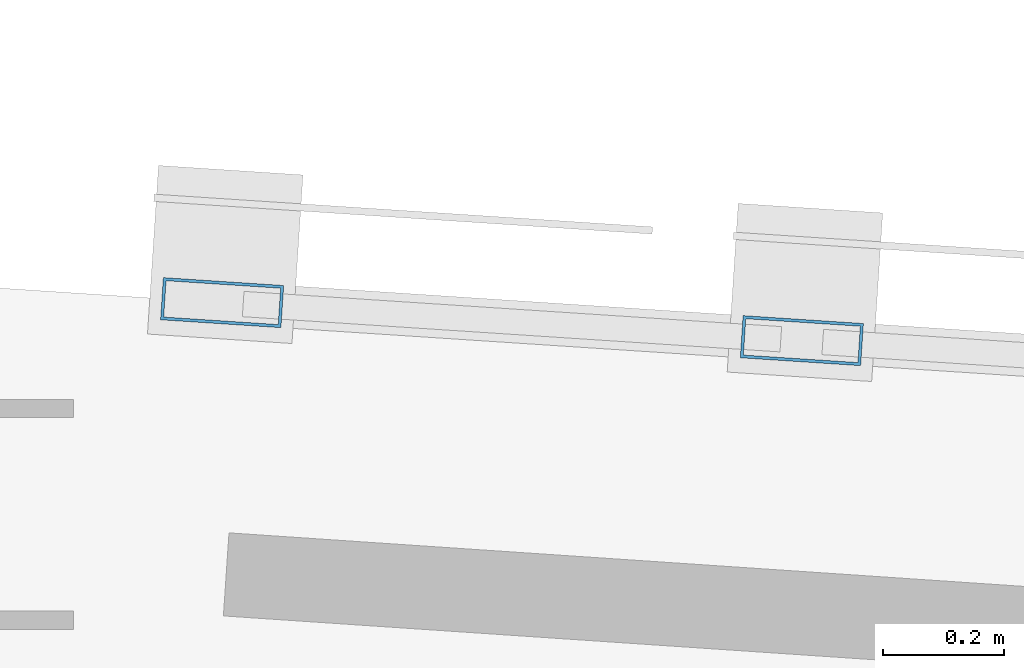
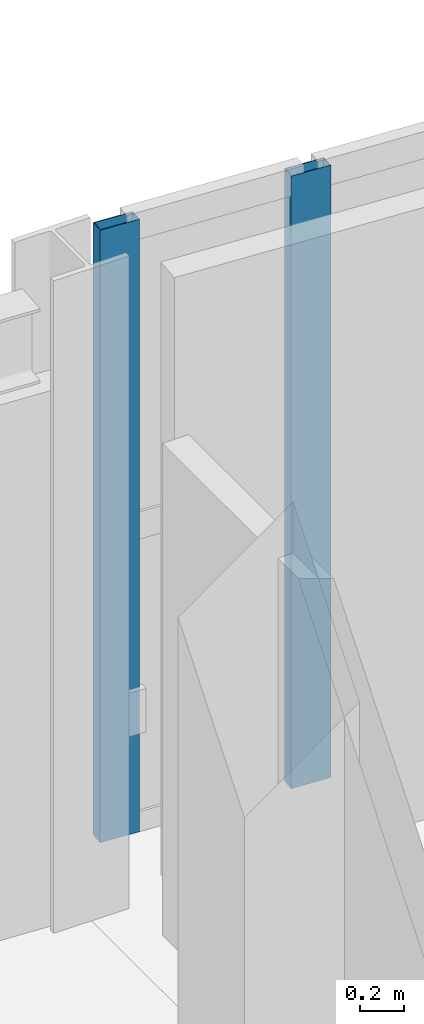
# One storey, part 21 of 41: 2 members, 1 element without a shape of its own.
"""IFC4 building model written with IfcOpenShell, lengths in metres."""

from ifc_helpers import new_model, si_unit, direction, frame, origin, origin_2d, place, context, subcontext, project, spatial, hollow_rectangle, extrude, material, layer, layer_set, material_profile, profile_set, type_object, element, aggregate, save


model = new_model("IFC4")

# Units and contexts
model_context = context("Model", 3, precision=1e-05, world=origin(), true_north=direction((0.0, 1.0)))
body_context = subcontext(model_context, "Body", "Model", "MODEL_VIEW")
ifc_project = project(units=[si_unit("LENGTHUNIT", "METRE"), si_unit("AREAUNIT", "SQUARE_METRE"), si_unit("VOLUMEUNIT", "CUBIC_METRE"), si_unit("PLANEANGLEUNIT", "RADIAN"), si_unit("MASSUNIT", "GRAM", prefix="KILO")], contexts=[model_context])

# Site, building, storey
site_placement = place(None, origin())
site = spatial("IfcSite", under=ifc_project, at=site_placement, CompositionType="ELEMENT")
building_placement = place(site_placement, origin())
building = spatial("IfcBuilding", under=site, at=building_placement, Name="Carrowvane Square Congress Hotel", CompositionType="ELEMENT")
storey_placement = place(building_placement, frame((0.0, 0.0, 37.199951171875)))
storey = spatial("IfcBuildingStorey", under=building, at=storey_placement, Name="L09", CompositionType="ELEMENT", Elevation=37.199951171875)

# Curtain wall, members
ifc_material_1 = material(Name="Anodised aluminium", Category="aluminium")
ifc_layer = layer(ifc_material_1, 0.24609375)
ifc_layer_set = layer_set([ifc_layer], Name="Anodised aluminium")
curtain_wall_type = type_object("IfcCurtainWallType", Name="CW-SYS-8", PredefinedType="NOTDEFINED", material=ifc_layer_set)
curtain_wall_placement = place(storey_placement, origin())
curtain_wall = element("IfcCurtainWall", 1, at=curtain_wall_placement, inside=storey, type_object=curtain_wall_type, Name="L09 unitised curtain wall 543", PredefinedType="NOTDEFINED")
ifc_material_2 = material(Name="Anodised aluminium", Category="aluminium")
ifc_material_profile = material_profile(ifc_material_2, hollow_rectangle(XDim=0.070068359375, YDim=0.199951171875, WallThickness=0.0048828125, at=origin_2d()), Name="CW-ML 70x200x5")
ifc_profile_set = profile_set([ifc_material_profile], Name="Anodised aluminium")
member_type = type_object("IfcMemberType", Name="CW-MUL-2", PredefinedType="MULLION", material=ifc_profile_set)
member_1_placement = place(storey_placement, frame((127.243408203125, 115.545166015625, 0.0), z_axis=(0.0, 0.0, 1.0), x_axis=(0.065413941589, 0.9978582145, 0.0)))
member_1 = element("IfcMember", 2, at=member_1_placement, type_object=member_type, Name="CW-8 mullion 1", PredefinedType="MULLION", context=body_context, shape_type="SweptSolid", body=[
    extrude(hollow_rectangle(XDim=0.070068359375, YDim=0.199951171875, WallThickness=0.0048828125, at=origin_2d()), origin(), (0.0, 0.0, 1.0), 3.380126953125),
])
member_2_placement = place(storey_placement, frame((128.204345703125, 115.482177734375, 0.0), z_axis=(0.0, 0.0, 1.0), x_axis=(0.065413941589, 0.9978582145, 0.0)))
member_2 = element("IfcMember", 3, at=member_2_placement, type_object=member_type, Name="CW-8 mullion 2", PredefinedType="MULLION", context=body_context, shape_type="SweptSolid", body=[
    extrude(hollow_rectangle(XDim=0.070068359375, YDim=0.199951171875, WallThickness=0.0048828125, at=origin_2d()), origin(), (0.0, 0.0, 1.0), 3.380126953125),
])
aggregate(curtain_wall, [member_1, member_2])

save(model, "model.ifc")
